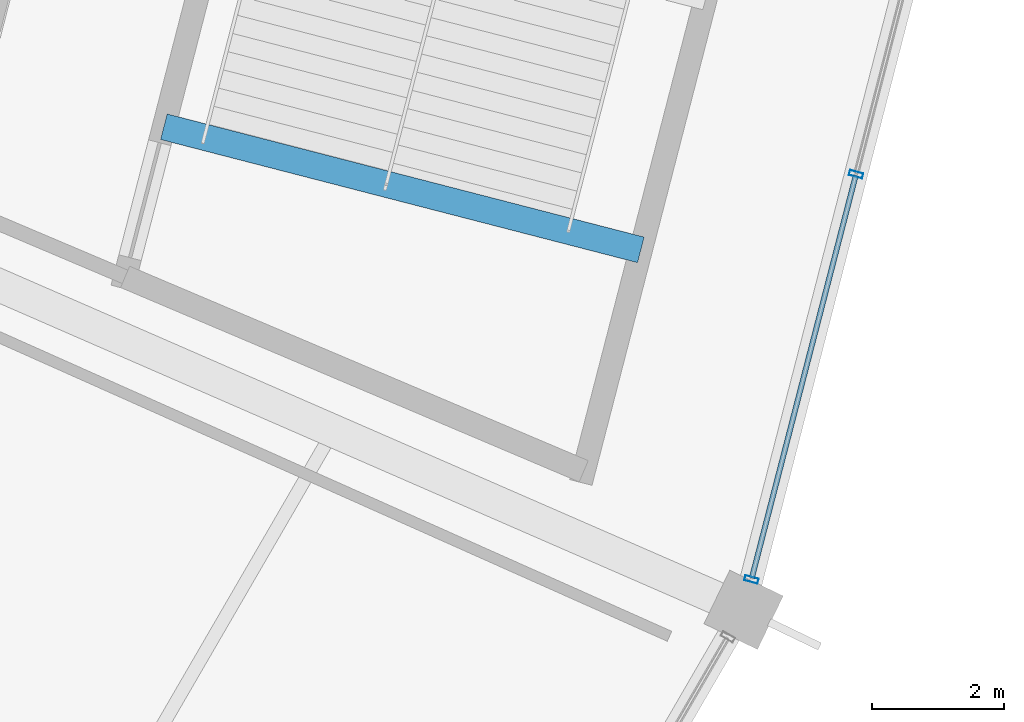
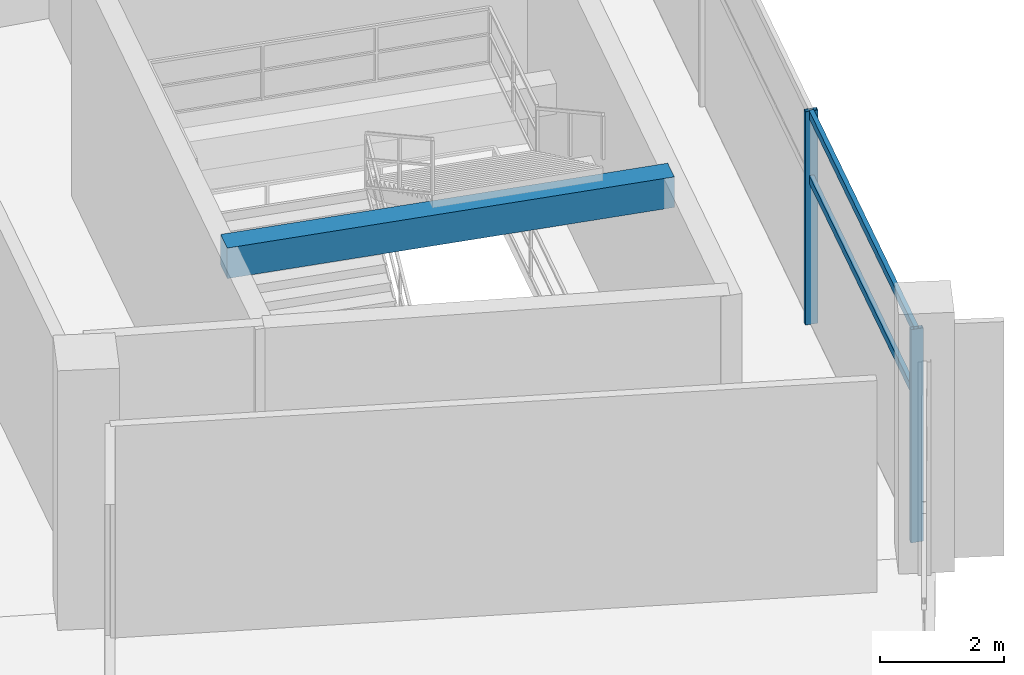
# One storey, part 76 of 184: 4 members, 1 beam, 1 element without a shape of its own.
"""IFC4 building model written with IfcOpenShell, lengths in metres."""

import ifcopenshell
import ifcopenshell.guid

model = None  # the IFC model being written
_history = None  # IfcOwnerHistory: only IFC2X3 demands one
_inside = {}  # id of a spatial element -> (the spatial element, [elements in it])
_under = {}  # id of a project, library or spatial element -> (it, [spatial elements below it])
_declared = {}  # id of a project -> (the project, [libraries it declares])
_typed = {}  # id of a type object -> (the type object, [elements of that type])
_made_of = {}  # id of a material, layer set ... -> (it, [elements and type objects made of it])


def new_model(schema):
    """Start an empty IFC model of exactly this schema.

    Asked for "IFC4X3", IfcOpenShell would pick the latest addendum, in which some entities
    have other attributes; the version numbers below select the first issue.
    IFC2X3 requires an IfcOwnerHistory on every rooted entity: one is made here for all.
    """
    global model, _history
    if schema == "IFC4X3":
        model = ifcopenshell.file(schema_version=(4, 3, 0, 0))
    else:
        model = ifcopenshell.file(schema=schema)
    _inside.clear()
    _under.clear()
    _declared.clear()
    _typed.clear()
    _made_of.clear()
    _history = None
    if model.schema == "IFC2X3":
        org = make("IfcOrganization", Name="unknown")
        user = make(
            "IfcPersonAndOrganization",
            ThePerson=make("IfcPerson", FamilyName="unknown"),
            TheOrganization=org,
        )
        app = make(
            "IfcApplication",
            ApplicationDeveloper=org,
            Version="unknown",
            ApplicationFullName="unknown",
            ApplicationIdentifier="unknown",
        )
        _history = make(
            "IfcOwnerHistory",
            OwningUser=user,
            OwningApplication=app,
            ChangeAction="ADDED",
            CreationDate=0,
        )
    return model


def make(cls, **values):
    """One entity of the class cls with the attributes given. An attribute that is None is left unset."""
    return model.create_entity(
        cls, **{name: value for name, value in values.items() if value is not None}
    )


def rooted(cls, **values):
    """An entity with a GlobalId (a new one), such as an element, a storey or a relation."""
    return make(cls, GlobalId=ifcopenshell.guid.new(), OwnerHistory=_history, **values)


def si_unit(unit_type, name, prefix=None):
    """IfcSIUnit, for example si_unit("LENGTHUNIT", "METRE", prefix="MILLI")."""
    return make("IfcSIUnit", UnitType=unit_type, Prefix=prefix, Name=name)


def assignment(units):
    """IfcUnitAssignment: the units of a project."""
    return None if units is None else make("IfcUnitAssignment", Units=units)


def point(xyz):
    """IfcCartesianPoint."""
    return None if xyz is None else make("IfcCartesianPoint", Coordinates=xyz)


def direction(xyz):
    """IfcDirection."""
    return None if xyz is None else make("IfcDirection", DirectionRatios=xyz)


def frame(location, z_axis=None, x_axis=None):
    """IfcAxis2Placement3D, a coordinate frame: its origin and axes. An axis left out is left unset."""
    return make(
        "IfcAxis2Placement3D",
        Location=point(location),
        Axis=direction(z_axis),
        RefDirection=direction(x_axis),
    )


def frame_2d(location, x_axis=None):
    """IfcAxis2Placement2D, a coordinate frame in the plane: its origin and x axis."""
    return make(
        "IfcAxis2Placement2D", Location=point(location), RefDirection=direction(x_axis)
    )


def origin():
    """The frame at (0, 0, 0) with its axes left unset."""
    return frame((0.0, 0.0, 0.0))


def origin_2d():
    """The frame at (0, 0) in the plane with its x axis left unset."""
    return frame_2d((0.0, 0.0))


def place(relative_to, where):
    """IfcLocalPlacement: puts the frame where relative to a parent placement (None: the world)."""
    return make(
        "IfcLocalPlacement", PlacementRelTo=relative_to, RelativePlacement=where
    )


def context(
    kind, dimensions, precision=None, world=None, true_north=None, identifier=None
):
    """IfcGeometricRepresentationContext, for example the 3D "Model" context."""
    return make(
        "IfcGeometricRepresentationContext",
        ContextIdentifier=identifier,
        ContextType=kind,
        CoordinateSpaceDimension=dimensions,
        Precision=precision,
        WorldCoordinateSystem=world,
        TrueNorth=true_north,
    )


def subcontext(parent, identifier, kind, view, scale=None):
    """IfcGeometricRepresentationSubContext, for example "Body" below "Model"."""
    return make(
        "IfcGeometricRepresentationSubContext",
        ContextIdentifier=identifier,
        ContextType=kind,
        ParentContext=parent,
        TargetScale=scale,
        TargetView=view,
    )


def project(units=None, contexts=None):
    """IfcProject with its units and contexts."""
    return rooted(
        "IfcProject",
        Name="project",
        RepresentationContexts=contexts,
        UnitsInContext=assignment(units),
    )


def spatial(cls, under=None, at=None, **own):
    """A site, building, storey or space (cls), placed at a placement, below another one or the project."""
    s = rooted(cls, ObjectPlacement=at, **own)
    if under is not None:
        _under.setdefault(under.id(), (under, []))[1].append(s)
    return s


def profile(cls, at=None, kind="AREA", **sizes):
    """A parametric profile (cls). Its sizes go by their IFC names, for example OverallWidth=200.0."""
    return make(cls, ProfileType=kind, Position=at, **sizes)


def rectangle(**sizes):
    """IfcRectangleProfileDef."""
    return profile("IfcRectangleProfileDef", **sizes)


def hollow_rectangle(**sizes):
    """IfcRectangleHollowProfileDef."""
    return profile("IfcRectangleHollowProfileDef", **sizes)


def extrude(swept, where, along, depth):
    """IfcExtrudedAreaSolid: the profile swept, set in the frame where, extruded along a direction by depth."""
    return make(
        "IfcExtrudedAreaSolid",
        SweptArea=swept,
        Position=where,
        ExtrudedDirection=direction(along),
        Depth=depth,
    )


def shape(context_of_items, identifier, shape_type, items):
    """IfcShapeRepresentation: the items that make up one representation, for example the "Body"."""
    return make(
        "IfcShapeRepresentation",
        ContextOfItems=context_of_items,
        RepresentationIdentifier=identifier,
        RepresentationType=shape_type,
        Items=items,
    )


def material(Name=None, Category=None):
    """IfcMaterial."""
    return make("IfcMaterial", Name=Name, Category=Category)


def layer(
    of_material, thickness, ventilated=None, Name=None, Category=None, Priority=None
):
    """IfcMaterialLayer: one layer of a wall or slab, of a material (None: an air gap)."""
    return make(
        "IfcMaterialLayer",
        Material=of_material,
        LayerThickness=thickness,
        IsVentilated=ventilated,
        Name=Name,
        Category=Category,
        Priority=Priority,
    )


def layer_set(layers, Name=None):
    """IfcMaterialLayerSet."""
    return make("IfcMaterialLayerSet", MaterialLayers=layers, LayerSetName=Name)


def material_profile(
    of_material, cross_section, Name=None, Category=None, Priority=None
):
    """IfcMaterialProfile: a cross section and its material."""
    return make(
        "IfcMaterialProfile",
        Name=Name,
        Material=of_material,
        Profile=cross_section,
        Priority=Priority,
        Category=Category,
    )


def profile_set(profiles, Name=None, composite=None):
    """IfcMaterialProfileSet."""
    return make(
        "IfcMaterialProfileSet",
        Name=Name,
        MaterialProfiles=profiles,
        CompositeProfile=composite,
    )


def made_of(thing, what):
    """Note that an element or type object is made of a material, layer set ...; save() writes the relation."""
    if what is not None:
        _made_of.setdefault(what.id(), (what, []))[1].append(thing)
    return thing


def type_object(cls, material=None, **own):
    """A type object (cls), such as IfcWallType, which elements share."""
    return made_of(rooted(cls, **own), material)


def element(
    cls,
    number,
    at=None,
    inside=None,
    cuts=None,
    type_object=None,
    material=None,
    context=None,
    identifier="Body",
    shape_type=None,
    held_by="IfcProductDefinitionShape",
    body=None,
    shapes=None,
    **own,
):
    """One element of the class cls, such as IfcWall. Its Tag is "e" and its number.

    at: its placement. inside: the storey or other place that contains it. cuts: it is an
    opening in that element (IfcRelVoidsElement). A single representation is given by context,
    identifier, shape_type and body (its items); several are given by shapes. held_by: the class
    of the entity that holds the representations. save() writes the other relations.
    """
    e = rooted(cls, Tag="e%d" % number, ObjectPlacement=at, **own)
    if body is not None:
        shapes = [shape(context, identifier, shape_type, body)]
    if shapes is not None:
        e.Representation = make(held_by, Representations=shapes)
    if inside is not None:
        _inside.setdefault(inside.id(), (inside, []))[1].append(e)
    if cuts is not None:
        rooted(
            "IfcRelVoidsElement", RelatingBuildingElement=cuts, RelatedOpeningElement=e
        )
    if type_object is not None:
        _typed.setdefault(type_object.id(), (type_object, []))[1].append(e)
    return made_of(e, material)


def aggregate(whole, parts):
    """IfcRelAggregates: a whole, such as a stair, and the parts it consists of."""
    return rooted("IfcRelAggregates", RelatingObject=whole, RelatedObjects=parts)


def save(model, path):
    """Write the relations noted so far, then the file.

    IfcRelAggregates (storeys below a building ...), IfcRelContainedInSpatialStructure (elements
    in a storey), IfcRelDefinesByType, IfcRelAssociatesMaterial and IfcRelDeclares: one each for
    every whole, place, type object, material and project.
    """
    for whole, parts in _under.values():
        aggregate(whole, parts)
    for where, things in _inside.values():
        rooted(
            "IfcRelContainedInSpatialStructure",
            RelatedElements=things,
            RelatingStructure=where,
        )
    for kind, things in _typed.values():
        rooted("IfcRelDefinesByType", RelatedObjects=things, RelatingType=kind)
    for what, things in _made_of.values():
        rooted("IfcRelAssociatesMaterial", RelatedObjects=things, RelatingMaterial=what)
    for by, libraries in _declared.values():
        rooted("IfcRelDeclares", RelatingContext=by, RelatedDefinitions=libraries)
    model.write(path)


model = new_model("IFC4")

# Units and contexts
model_context = context("Model", 3, precision=1e-05, world=origin(), true_north=direction((0.0, 1.0)))
body_context = subcontext(model_context, "Body", "Model", "MODEL_VIEW")
ifc_project = project(units=[si_unit("LENGTHUNIT", "METRE"), si_unit("AREAUNIT", "SQUARE_METRE"), si_unit("VOLUMEUNIT", "CUBIC_METRE"), si_unit("PLANEANGLEUNIT", "RADIAN"), si_unit("MASSUNIT", "GRAM", prefix="KILO")], contexts=[model_context])

# Site, building, storey
site_placement = place(None, origin())
site = spatial("IfcSite", under=ifc_project, at=site_placement, CompositionType="ELEMENT")
building_placement = place(site_placement, origin())
building = spatial("IfcBuilding", under=site, at=building_placement, Name="Kazemori Nagisa Stadium", CompositionType="ELEMENT")
storey_placement = place(building_placement, frame((0.0, 0.0, 10.5400390625)))
storey = spatial("IfcBuildingStorey", under=building, at=storey_placement, Name="L02", CompositionType="ELEMENT", Elevation=10.5400390625)

# Beam
ifc_material_1 = material(Name="Concrete C40/50 (Fc42)", Category="concrete")
ifc_material_profile_1 = material_profile(ifc_material_1, rectangle(XDim=0.39990234375, YDim=0.60009765625, at=origin_2d()), Name="RC-BM-400x600")
ifc_profile_set_1 = profile_set([ifc_material_profile_1], Name="Concrete C40/50 (Fc42)")
beam_type = type_object("IfcBeamType", Name="Beam_BG-LND400X600", PredefinedType="BEAM", material=ifc_profile_set_1)
beam_placement = place(storey_placement, frame((203.095703125, 70.57470703125, 4.5400390625), z_axis=(0.968252570883, -0.249973916595, 0.0), x_axis=(0.249973916595, 0.968252570883, 0.0)))
element("IfcBeam", 1, at=beam_placement, inside=storey, type_object=beam_type, Name="Core stair arrival header girder ST10-L02", PredefinedType="BEAM", context=body_context, shape_type="SweptSolid", body=[
    extrude(rectangle(XDim=0.39990234375, YDim=0.60009765625, at=origin_2d()), origin(), (0.0, 0.0, 1.0), 7.468505859375),
])

# Curtain wall, members
ifc_material_2 = material(Name="Anodised aluminium 6063-T5", Category="aluminium")
ifc_layer = layer(ifc_material_2, 0.2099609375, Name="Anodised aluminium 6063-T5", Category="aluminium")
ifc_layer_set = layer_set([ifc_layer], Name="Anodised aluminium 6063-T5")
curtain_wall_type = type_object("IfcCurtainWallType", Name="CW_L02R3_96", PredefinedType="USERDEFINED", material=ifc_layer_set)
curtain_wall_placement = place(storey_placement, origin())
curtain_wall = element("IfcCurtainWall", 2, at=curtain_wall_placement, inside=storey, type_object=curtain_wall_type, Name="Unitised curtain wall CW-L02R3-96 L02", ObjectType="UNITISED CURTAIN WALL", PredefinedType="USERDEFINED")
ifc_material_3 = material(Name="Aluminium 6063-T5 anodised", Category="aluminium")
ifc_material_profile_2 = material_profile(ifc_material_3, hollow_rectangle(XDim=0.080078125, YDim=0.2099609375, WallThickness=0.0048828125, at=origin_2d()), Name="ALU-MULL-80x210x5")
ifc_profile_set_2 = profile_set([ifc_material_profile_2], Name="Aluminium 6063-T5 anodised")
member_type_1 = type_object("IfcMemberType", Name="Mullion_M02", PredefinedType="MULLION", material=ifc_profile_set_2)
member_1_placement = place(storey_placement, frame((212.003662109375, 63.71044921875, 0.0), z_axis=(0.0, 0.0, 1.0), x_axis=(0.249964642418, 0.968254965152, 0.0)))
member_1 = element("IfcMember", 3, at=member_1_placement, type_object=member_type_1, Name="Curtain wall mullion CW-L02R3-96-M1", PredefinedType="MULLION", context=body_context, shape_type="SweptSolid", body=[
    extrude(hollow_rectangle(XDim=0.080078125, YDim=0.2099609375, WallThickness=0.0048828125, at=origin_2d()), origin(), (0.0, 0.0, 1.0), 4.18994140625),
])
member_2_placement = place(storey_placement, frame((213.58984375, 69.8544921875, 0.0), z_axis=(0.0, 0.0, 1.0), x_axis=(0.249964642418, 0.968254965152, 0.0)))
member_2 = element("IfcMember", 4, at=member_2_placement, type_object=member_type_1, Name="Curtain wall mullion CW-L02R3-96-M2", PredefinedType="MULLION", context=body_context, shape_type="SweptSolid", body=[
    extrude(hollow_rectangle(XDim=0.080078125, YDim=0.2099609375, WallThickness=0.0048828125, at=origin_2d()), origin(), (0.0, 0.0, 1.0), 4.18994140625),
])
ifc_material_profile_3 = material_profile(ifc_material_3, hollow_rectangle(XDim=0.080078125, YDim=0.159912109375, WallThickness=0.00390625, at=origin_2d()), Name="ALU-TRAN-80x160x4")
ifc_profile_set_3 = profile_set([ifc_material_profile_3], Name="Aluminium 6063-T5 anodised")
member_type_2 = type_object("IfcMemberType", Name="Transom_T02", PredefinedType="USERDEFINED", material=ifc_profile_set_3)
member_3_placement = place(storey_placement, frame((212.008544921875, 63.729736328125, 2.84912109375), z_axis=(0.249971699633, 0.968253143234, 0.0), x_axis=(-0.968253143234, 0.249971699633, 0.0)))
member_3 = element("IfcMember", 5, at=member_3_placement, type_object=member_type_2, Name="Curtain wall transom CW-L02R3-96-T1-mid", ObjectType="TRANSOM", PredefinedType="USERDEFINED", context=body_context, shape_type="SweptSolid", body=[
    extrude(hollow_rectangle(XDim=0.080078125, YDim=0.159912109375, WallThickness=0.00390625, at=origin_2d()), origin(), (0.0, 0.0, 1.0), 6.305419921875),
])
member_4_placement = place(storey_placement, frame((212.008544921875, 63.729736328125, 4.119873046875), z_axis=(0.249971699633, 0.968253143234, 0.0), x_axis=(-0.968253143234, 0.249971699633, 0.0)))
member_4 = element("IfcMember", 6, at=member_4_placement, type_object=member_type_2, Name="Curtain wall transom CW-L02R3-96-T1-head", ObjectType="TRANSOM", PredefinedType="USERDEFINED", context=body_context, shape_type="SweptSolid", body=[
    extrude(hollow_rectangle(XDim=0.080078125, YDim=0.159912109375, WallThickness=0.00390625, at=origin_2d()), origin(), (0.0, 0.0, 1.0), 6.305419921875),
])
aggregate(curtain_wall, [member_1, member_2, member_3, member_4])

save(model, "model.ifc")
